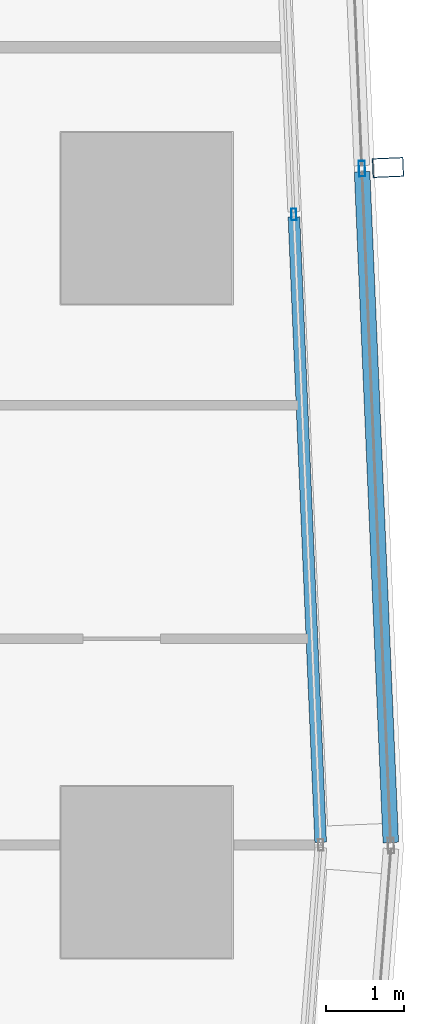
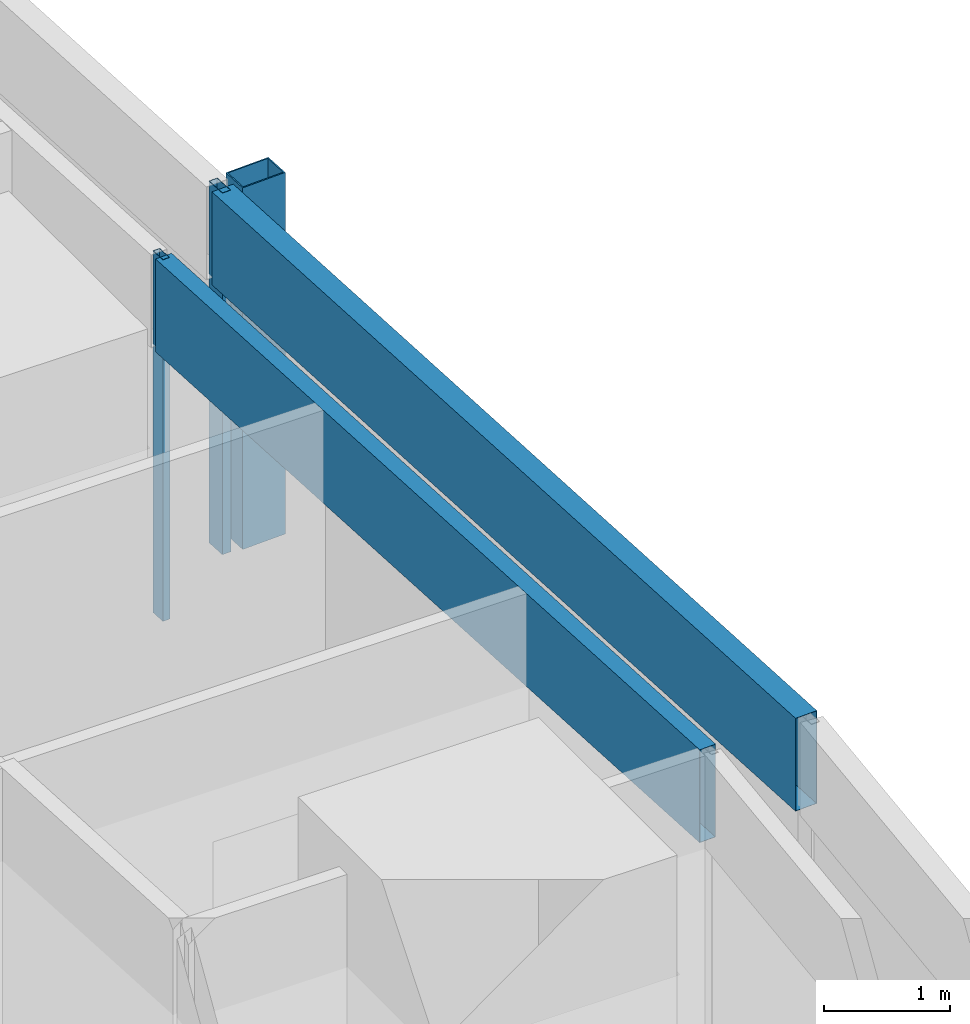
# One storey, part 27 of 44: 5 members, 2 elements without a shape of their own.
"""IFC4 building model written with IfcOpenShell, lengths in metres."""

from ifc_helpers import new_model, si_unit, direction, frame, origin, origin_2d, place, context, subcontext, project, spatial, hollow_rectangle, extrude, material, material_profile, profile_set, type_object, element, aggregate, save


model = new_model("IFC4")

# Units and contexts
model_context = context("Model", 3, precision=1e-05, world=origin(), true_north=direction((0.0, 1.0)))
body_context = subcontext(model_context, "Body", "Model", "MODEL_VIEW")
ifc_project = project(units=[si_unit("LENGTHUNIT", "METRE"), si_unit("AREAUNIT", "SQUARE_METRE"), si_unit("VOLUMEUNIT", "CUBIC_METRE"), si_unit("PLANEANGLEUNIT", "RADIAN"), si_unit("MASSUNIT", "GRAM", prefix="KILO")], contexts=[model_context])

# Site, building, storey
site_placement = place(None, origin())
site = spatial("IfcSite", under=ifc_project, at=site_placement, CompositionType="ELEMENT")
building_placement = place(site_placement, origin())
building = spatial("IfcBuilding", under=site, at=building_placement, Name="Rekha Terrace Tower", CompositionType="ELEMENT")
storey_placement = place(building_placement, frame((0.0, 0.0, 51.64990234375)))
storey = spatial("IfcBuildingStorey", under=building, at=storey_placement, Name="L12", CompositionType="ELEMENT", Elevation=51.64990234375)

# Curtain wall, member
ifc_material_1 = material(Name="Aluminium framing", Category="aluminium")
curtain_wall_type_1 = type_object("IfcCurtainWallType", Name="CW2 double skin outer glazing", PredefinedType="USERDEFINED", material=ifc_material_1)
curtain_wall_1_placement = place(storey_placement, origin())
curtain_wall_1 = element("IfcCurtainWall", 1, at=curtain_wall_1_placement, inside=storey, type_object=curtain_wall_type_1, Name="CW2 double skin outer glazing", ObjectType="DOUBLE SKIN OUTER GLAZING", PredefinedType="USERDEFINED")
ifc_material_2 = material(Name="Steel S355 with fluorocarbon finish", Category="steel")
ifc_material_profile_1 = material_profile(ifc_material_2, hollow_rectangle(XDim=0.25, YDim=0.39990234375, WallThickness=0.012451171875, at=origin_2d()), Name="RHS400x250x12.5")
ifc_profile_set_1 = profile_set([ifc_material_profile_1], Name="Steel S355 with fluorocarbon finish")
member_type_1 = type_object("IfcMemberType", Name="BL1 facade blade RHS 400 x 250", PredefinedType="USERDEFINED", material=ifc_profile_set_1)
member_1_placement = place(storey_placement, frame((70.301025390625, 34.2529296875, 0.0), z_axis=(0.0, 0.0, 1.0), x_axis=(-0.04269522475, 0.99908814315, 0.0)))
member_1 = element("IfcMember", 2, at=member_1_placement, type_object=member_type_1, Name="Facade blade", ObjectType="FACADE BLADE", PredefinedType="USERDEFINED", context=body_context, shape_type="SweptSolid", body=[
    extrude(hollow_rectangle(XDim=0.25, YDim=0.39990234375, WallThickness=0.012451171875, at=origin_2d()), origin(), (0.0, 0.0, 1.0), 3.5),
])

# Curtain wall, members
curtain_wall_type_2 = type_object("IfcCurtainWallType", Name="CW1 double skin inner glazing", PredefinedType="USERDEFINED", material=ifc_material_1)
curtain_wall_2_placement = place(storey_placement, origin())
curtain_wall_2 = element("IfcCurtainWall", 3, at=curtain_wall_2_placement, inside=storey, type_object=curtain_wall_type_2, Name="CW1 double skin inner glazing", ObjectType="DOUBLE SKIN INNER GLAZING", PredefinedType="USERDEFINED")
ifc_material_3 = material(Name="Aluminium mullion section", Category="aluminium")
ifc_material_profile_2 = material_profile(ifc_material_3, hollow_rectangle(XDim=0.06494140625, YDim=0.14990234375, WallThickness=0.00390625, at=origin_2d()), Name="AL RHS 65x150")
ifc_profile_set_2 = profile_set([ifc_material_profile_2], Name="Aluminium mullion section")
member_type_2 = type_object("IfcMemberType", Name="CW1 mullion RHS 65 x 150", PredefinedType="MULLION", material=ifc_profile_set_2)
member_2_placement = place(storey_placement, frame((69.0908203125, 33.650390625, 0.0), z_axis=(0.0, 0.0, 1.0), x_axis=(-0.999088106904, -0.042696072921, 0.0)))
member_2 = element("IfcMember", 4, at=member_2_placement, type_object=member_type_2, Name="CW1 mullion 2", PredefinedType="MULLION", context=body_context, shape_type="SweptSolid", body=[
    extrude(hollow_rectangle(XDim=0.06494140625, YDim=0.14990234375, WallThickness=0.00390625, at=origin_2d()), origin(), (0.0, 0.0, 1.0), 3.5),
])
ifc_material_4 = material(Name="Insulated aluminium spandrel box", Category="aluminium")
ifc_material_profile_3 = material_profile(ifc_material_4, hollow_rectangle(XDim=0.14990234375, YDim=0.89990234375, WallThickness=0.0029296875, at=origin_2d()), Name="AL SPANDREL BOX 150x900")
ifc_profile_set_3 = profile_set([ifc_material_profile_3], Name="Insulated aluminium spandrel box")
member_type_3 = type_object("IfcMemberType", Name="CW1 spandrel transom 150 x 900", PredefinedType="USERDEFINED", material=ifc_profile_set_3)
member_3_placement = place(storey_placement, frame((69.435546875, 25.584228515625, 3.050048828125), z_axis=(-0.042719126599, 0.999087121438, 0.0), x_axis=(-0.999087121438, -0.042719126599, 0.0)))
member_3 = element("IfcMember", 5, at=member_3_placement, type_object=member_type_3, Name="CW1 spandrel transom 1", ObjectType="TRANSOM", PredefinedType="USERDEFINED", context=body_context, shape_type="SweptSolid", body=[
    extrude(hollow_rectangle(XDim=0.14990234375, YDim=0.89990234375, WallThickness=0.0029296875, at=origin_2d()), origin(), (0.0, 0.0, 1.0), 8.041015625),
])
aggregate(curtain_wall_2, [member_2, member_3])

# Member
ifc_material_profile_4 = material_profile(ifc_material_3, hollow_rectangle(XDim=0.080078125, YDim=0.199951171875, WallThickness=0.00390625, at=origin_2d()), Name="AL RHS 80x200")
ifc_profile_set_4 = profile_set([ifc_material_profile_4], Name="Aluminium mullion section")
member_type_4 = type_object("IfcMemberType", Name="CW2 mullion RHS 80 x 200", PredefinedType="MULLION", material=ifc_profile_set_4)
member_4_placement = place(storey_placement, frame((69.96630859375, 34.23876953125, 0.0), z_axis=(0.0, 0.0, 1.0), x_axis=(-0.999088106903, -0.042696072956, 0.0)))
member_4 = element("IfcMember", 6, at=member_4_placement, type_object=member_type_4, Name="CW2 mullion 2", PredefinedType="MULLION", context=body_context, shape_type="SweptSolid", body=[
    extrude(hollow_rectangle(XDim=0.080078125, YDim=0.199951171875, WallThickness=0.00390625, at=origin_2d()), origin(), (0.0, 0.0, 1.0), 3.5),
])

ifc_material_profile_5 = material_profile(ifc_material_4, hollow_rectangle(XDim=0.199951171875, YDim=0.89990234375, WallThickness=0.0029296875, at=origin_2d()), Name="AL SPANDREL BOX 200x900")
ifc_profile_set_5 = profile_set([ifc_material_profile_5], Name="Insulated aluminium spandrel box")
member_type_5 = type_object("IfcMemberType", Name="CW2 spandrel transom 200 x 900", PredefinedType="USERDEFINED", material=ifc_profile_set_5)
member_5_placement = place(storey_placement, frame((70.33642578125, 25.582763671875, 3.050048828125), z_axis=(-0.042719742329, 0.99908709511, 0.0), x_axis=(-0.99908709511, -0.042719742329, 0.0)))
member_5 = element("IfcMember", 7, at=member_5_placement, type_object=member_type_5, Name="CW2 spandrel transom 1", ObjectType="TRANSOM", PredefinedType="USERDEFINED", context=body_context, shape_type="SweptSolid", body=[
    extrude(hollow_rectangle(XDim=0.199951171875, YDim=0.89990234375, WallThickness=0.0029296875, at=origin_2d()), origin(), (0.0, 0.0, 1.0), 8.623779296875),
])

aggregate(curtain_wall_1, [member_4, member_5, member_1])

save(model, "model.ifc")
